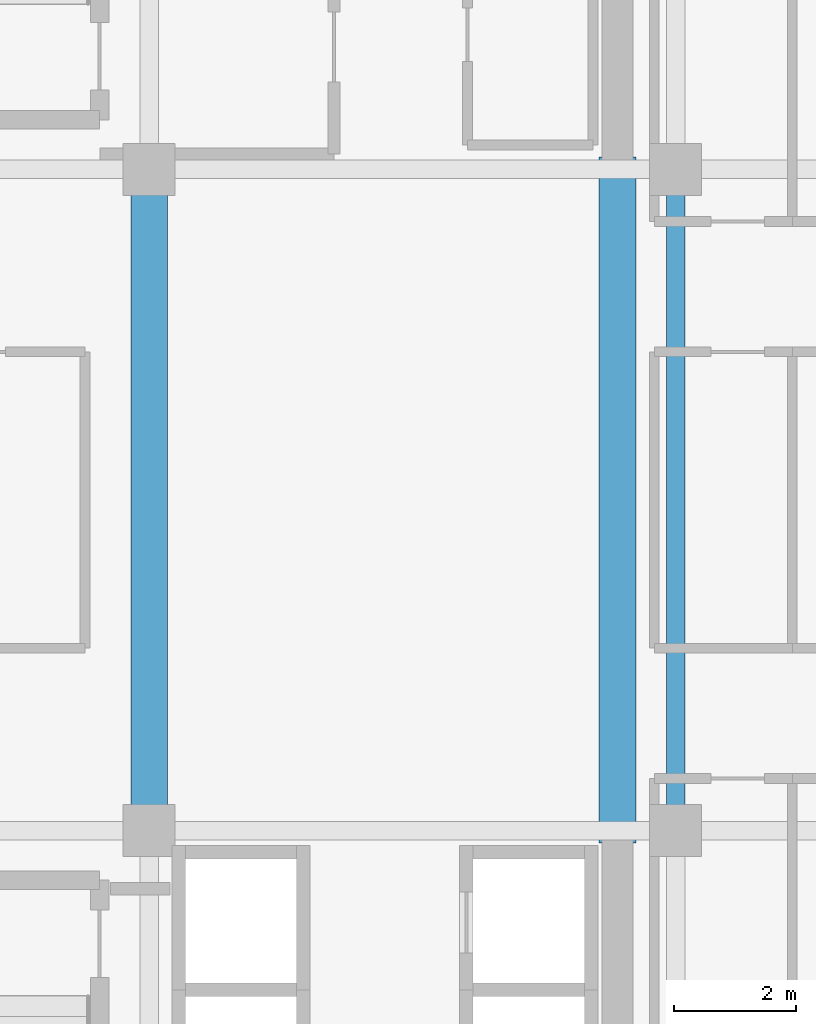
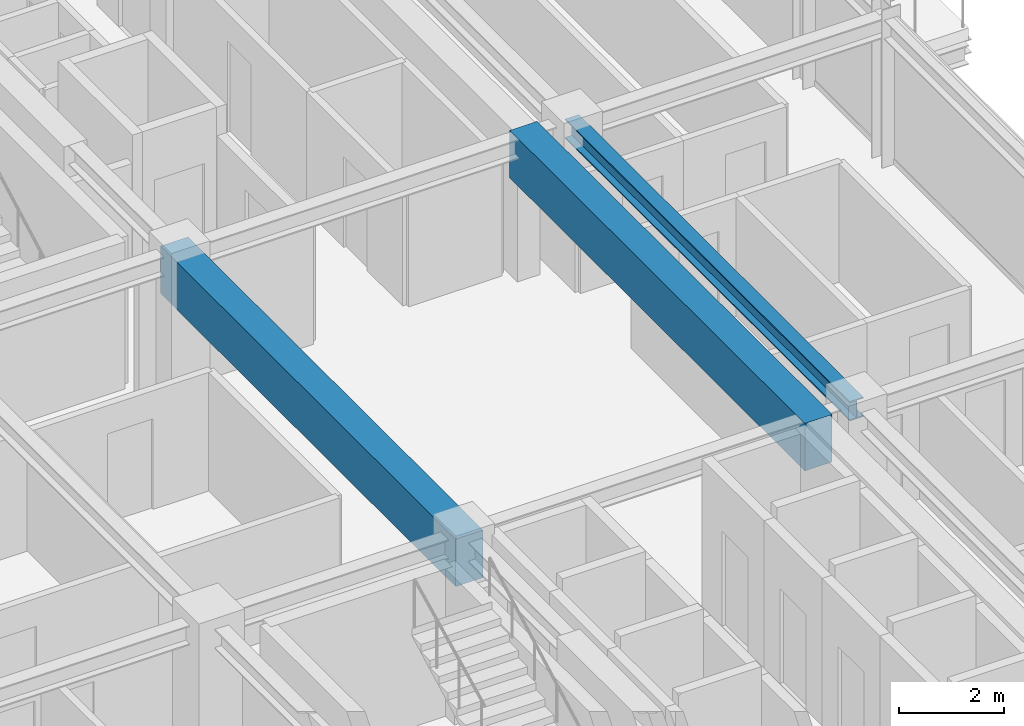
# One storey, part 16 of 36: 3 beams.
"""IFC4 building model written with IfcOpenShell, lengths in metres."""

from ifc_helpers import new_model, si_unit, direction, frame, origin, origin_2d, place, context, subcontext, project, spatial, rectangle, i_section, extrude, source, transform, mapped, material, material_profile, profile_set, type_object, element, save


model = new_model("IFC4")

# Units and contexts
model_context = context("Model", 3, precision=1e-05, world=origin(), true_north=direction((0.0, 1.0)))
body_context = subcontext(model_context, "Body", "Model", "MODEL_VIEW")
ifc_project = project(units=[si_unit("LENGTHUNIT", "METRE"), si_unit("AREAUNIT", "SQUARE_METRE"), si_unit("VOLUMEUNIT", "CUBIC_METRE"), si_unit("PLANEANGLEUNIT", "RADIAN"), si_unit("MASSUNIT", "GRAM", prefix="KILO")], contexts=[model_context])

# Site, building, storey
site_placement = place(None, origin())
site = spatial("IfcSite", under=ifc_project, at=site_placement, CompositionType="ELEMENT")
building_placement = place(site_placement, origin())
building = spatial("IfcBuilding", under=site, at=building_placement, Name="Nahalor Promenade Grand Hotel", CompositionType="ELEMENT")
storey_placement = place(building_placement, frame((0.0, 0.0, 223.39990234375)))
storey = spatial("IfcBuildingStorey", under=building, at=storey_placement, Name="L57", CompositionType="ELEMENT", Elevation=223.39990234375)

# Beams
ifc_material_1 = material(Name="Concrete B-60 (C50/60)", Category="concrete")
ifc_material_profile_1 = material_profile(ifc_material_1, rectangle(XDim=0.6, YDim=1.1, at=origin_2d()), Name="RC 600x1100")
ifc_profile_set_1 = profile_set([ifc_material_profile_1], Name="Concrete B-60 (C50/60)")
beam_type_1 = type_object("IfcBeamType", Name="Beam-Lintel-RC1100", PredefinedType="LINTEL", material=ifc_profile_set_1)
shared_shape_1 = source(origin(), body_context, "Body", "SweptSolid", [
    extrude(rectangle(XDim=0.6, YDim=1.1, at=origin_2d()), origin(), (0.0, 0.0, 1.0), 11.2001953125),
])
for number, where, z_axis, x_axis, name in (
    (1, (8.39990234375, -5.60009765625, 2.860107421875), (0.0, 1.0, 0.0), (-1.0, 0.0, 0.0), "BM-L57-LINT-W"),
    (2, (16.050048828125, -5.60009765625, 2.860107421875), (0.0, 1.0, 0.0), (-1.0, 0.0, 0.0), "BM-L57-LINT-E"),
):
    element("IfcBeam", number, at=place(storey_placement, frame(where, z_axis=z_axis, x_axis=x_axis)), inside=storey, type_object=beam_type_1, Name=name, PredefinedType="LINTEL", context=body_context, shape_type="MappedRepresentation", body=[
        mapped(shared_shape_1, transform((0.0, 0.0, 0.0), scale=1.0)),
    ])
ifc_material_2 = material(Name="Steel S355JR", Category="steel")
ifc_material_profile_2 = material_profile(ifc_material_2, i_section(OverallWidth=0.3, OverallDepth=0.45, WebThickness=0.014, FlangeThickness=0.026, at=origin_2d()), Name="HEB 450")
ifc_profile_set_2 = profile_set([ifc_material_profile_2], Name="Steel S355JR")
beam_type_2 = type_object("IfcBeamType", Name="Beam-Girder-HEB450", PredefinedType="BEAM", material=ifc_profile_set_2)
shared_shape_2 = source(origin(), body_context, "Body", "SweptSolid", [
    extrude(i_section(OverallWidth=0.3, OverallDepth=0.45, WebThickness=0.014, FlangeThickness=0.026, at=origin_2d()), origin(), (0.0, 0.0, 1.0), 10.7998046875),
])
beam_placement = place(storey_placement, frame((17.0, -5.39990234375, 3.18505859375), z_axis=(0.0, 1.0, 0.0), x_axis=(-1.0, 0.0, 0.0)))
element("IfcBeam", 3, at=beam_placement, inside=storey, type_object=beam_type_2, Name="BM-L57-GY-5-2", PredefinedType="BEAM", context=body_context, shape_type="MappedRepresentation", body=[
    mapped(shared_shape_2, transform((0.0, 0.0, 0.0), scale=1.0)),
])

save(model, "model.ifc")
